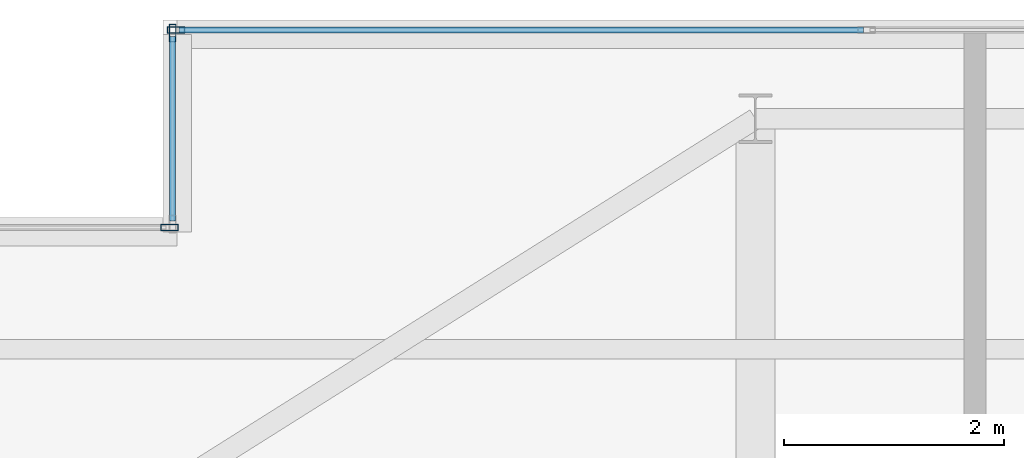
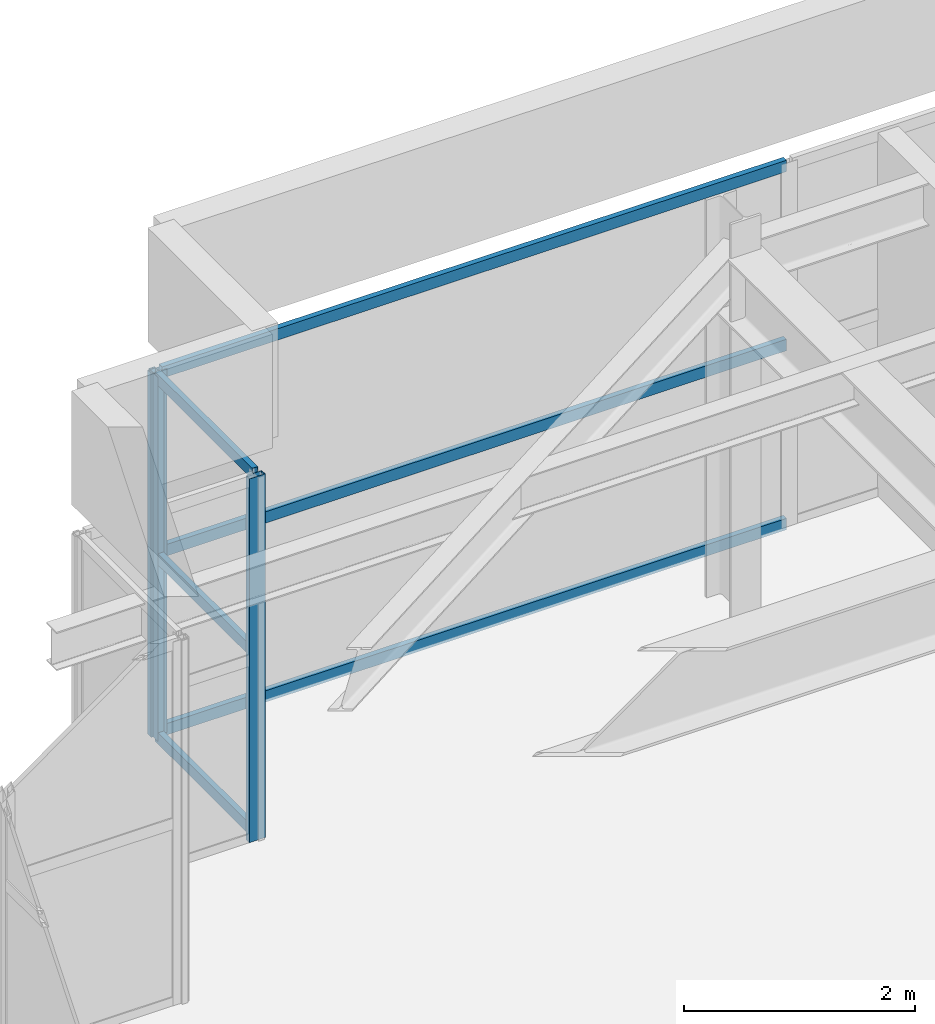
# One storey, part 22 of 33: 9 members, 3 elements without a shape of their own.
"""IFC4 building model written with IfcOpenShell, lengths in metres."""

from ifc_helpers import new_model, si_unit, direction, frame, origin, origin_2d, place, context, subcontext, project, spatial, hollow_rectangle, extrude, source, transform, mapped, material, layer, layer_set, material_profile, profile_set, type_object, element, aggregate, save


model = new_model("IFC4")

# Units and contexts
model_context = context("Model", 3, precision=1e-05, world=origin(), true_north=direction((0.0, 1.0)))
body_context = subcontext(model_context, "Body", "Model", "MODEL_VIEW")
ifc_project = project(units=[si_unit("LENGTHUNIT", "METRE"), si_unit("AREAUNIT", "SQUARE_METRE"), si_unit("VOLUMEUNIT", "CUBIC_METRE"), si_unit("PLANEANGLEUNIT", "RADIAN"), si_unit("MASSUNIT", "GRAM", prefix="KILO")], contexts=[model_context])

# Site, building, storey
site_placement = place(None, origin())
site = spatial("IfcSite", under=ifc_project, at=site_placement, CompositionType="ELEMENT")
building_placement = place(site_placement, origin())
building = spatial("IfcBuilding", under=site, at=building_placement, Name="Khoralis Quay Care Tower", CompositionType="ELEMENT")
storey_placement = place(building_placement, frame((0.0, 0.0, 314.699951171875)))
storey = spatial("IfcBuildingStorey", under=building, at=storey_placement, Name="L82", CompositionType="ELEMENT", Elevation=314.699951171875)

# Curtain wall, members
ifc_material = material(Name="Pale anodised aluminium", Category="aluminium")
ifc_layer = layer(ifc_material, 0.199951171875)
ifc_layer_set = layer_set([ifc_layer], Name="Pale anodised aluminium")
curtain_wall_type = type_object("IfcCurtainWallType", Name="CW-SYS-LANTERN", PredefinedType="NOTDEFINED", material=ifc_layer_set)
curtain_wall_1_placement = place(storey_placement, origin())
curtain_wall_1 = element("IfcCurtainWall", 1, at=curtain_wall_1_placement, inside=storey, type_object=curtain_wall_type, Name="L82 Unitised Curtain Wall CW-LN-L82-11", PredefinedType="NOTDEFINED")
ifc_material_profile_1 = material_profile(ifc_material, hollow_rectangle(XDim=0.054931640625, YDim=0.1201171875, WallThickness=0.00390625, at=origin_2d()), Name="Pale anodised aluminium")
ifc_profile_set_1 = profile_set([ifc_material_profile_1], Name="Pale anodised aluminium")
member_type_1 = type_object("IfcMemberType", Name="CW-TRN-120", PredefinedType="USERDEFINED", material=ifc_profile_set_1)
shared_shape_1 = source(origin(), body_context, "Body", "SweptSolid", [
    extrude(hollow_rectangle(XDim=0.054931640625, YDim=0.1201171875, WallThickness=0.00390625, at=origin_2d()), origin(), (0.0, 0.0, 1.0), 6.23388671875),
])
member_1_placement = place(storey_placement, frame((12.98388671875, 41.909912109375, 0.030029296875), z_axis=(-1.0, 0.0, 0.0), x_axis=(0.0, -1.0, 0.0)))
member_1 = element("IfcMember", 2, at=member_1_placement, type_object=member_type_1, Name="CW5 transom 5.1", ObjectType="TRANSOM", PredefinedType="USERDEFINED", context=body_context, shape_type="MappedRepresentation", body=[
    mapped(shared_shape_1, transform((0.0, 0.0, 0.0), scale=1.0)),
])
member_2_placement = place(storey_placement, frame((12.98388671875, 41.909912109375, 1.920166015625), z_axis=(-1.0, 0.0, 0.0), x_axis=(0.0, -1.0, 0.0)))
member_2 = element("IfcMember", 3, at=member_2_placement, type_object=member_type_1, Name="CW5 transom 5.2", ObjectType="TRANSOM", PredefinedType="USERDEFINED", context=body_context, shape_type="MappedRepresentation", body=[
    mapped(shared_shape_1, transform((0.0, 0.0, 0.0), scale=1.0)),
])
member_3_placement = place(storey_placement, frame((12.98388671875, 41.909912109375, 3.81005859375), z_axis=(-1.0, 0.0, 0.0), x_axis=(0.0, -1.0, 0.0)))
member_3 = element("IfcMember", 4, at=member_3_placement, type_object=member_type_1, Name="CW5 transom 5.3", ObjectType="TRANSOM", PredefinedType="USERDEFINED", context=body_context, shape_type="MappedRepresentation", body=[
    mapped(shared_shape_1, transform((0.0, 0.0, 0.0), scale=1.0)),
])

curtain_wall_2_placement = place(storey_placement, origin())
curtain_wall_2 = element("IfcCurtainWall", 5, at=curtain_wall_2_placement, inside=storey, type_object=curtain_wall_type, Name="L82 Unitised Curtain Wall CW-LN-L82-12", PredefinedType="NOTDEFINED")
shared_shape_2 = source(origin(), body_context, "Body", "SweptSolid", [
    extrude(hollow_rectangle(XDim=0.054931640625, YDim=0.1201171875, WallThickness=0.00390625, at=origin_2d()), origin(), (0.0, 0.0, 1.0), 1.68017578125),
])
member_4_placement = place(storey_placement, frame((6.68994140625, 41.85009765625, 0.030029296875), z_axis=(0.0, -1.0, 0.0), x_axis=(1.0, 0.0, 0.0)))
member_4 = element("IfcMember", 6, at=member_4_placement, type_object=member_type_1, Name="CW5 transom 1.1", ObjectType="TRANSOM", PredefinedType="USERDEFINED", context=body_context, shape_type="MappedRepresentation", body=[
    mapped(shared_shape_2, transform((0.0, 0.0, 0.0), scale=1.0)),
])
member_5_placement = place(storey_placement, frame((6.68994140625, 41.85009765625, 1.920166015625), z_axis=(0.0, -1.0, 0.0), x_axis=(1.0, 0.0, 0.0)))
member_5 = element("IfcMember", 7, at=member_5_placement, type_object=member_type_1, Name="CW5 transom 1.2", ObjectType="TRANSOM", PredefinedType="USERDEFINED", context=body_context, shape_type="MappedRepresentation", body=[
    mapped(shared_shape_2, transform((0.0, 0.0, 0.0), scale=1.0)),
])
member_6_placement = place(storey_placement, frame((6.68994140625, 41.85009765625, 3.81005859375), z_axis=(0.0, -1.0, 0.0), x_axis=(1.0, 0.0, 0.0)))
member_6 = element("IfcMember", 8, at=member_6_placement, type_object=member_type_1, Name="CW5 transom 1.3", ObjectType="TRANSOM", PredefinedType="USERDEFINED", context=body_context, shape_type="MappedRepresentation", body=[
    mapped(shared_shape_2, transform((0.0, 0.0, 0.0), scale=1.0)),
])

# Member
ifc_material_profile_2 = material_profile(ifc_material, hollow_rectangle(XDim=0.06005859375, YDim=0.159912109375, WallThickness=0.00390625, at=origin_2d()), Name="Pale anodised aluminium")
ifc_profile_set_2 = profile_set([ifc_material_profile_2], Name="Pale anodised aluminium")
member_type_2 = type_object("IfcMemberType", Name="CW-MUL-160", PredefinedType="MULLION", material=ifc_profile_set_2)
shared_shape_3 = source(origin(), body_context, "Body", "SweptSolid", [
    extrude(hollow_rectangle(XDim=0.06005859375, YDim=0.159912109375, WallThickness=0.00390625, at=origin_2d()), origin(), (0.0, 0.0, 1.0), 3.840087890625),
])
member_7_placement = place(storey_placement, frame((6.719970703125, 41.909912109375, 0.0), z_axis=(0.0, 0.0, 1.0), x_axis=(0.0, -1.0, 0.0)))
member_7 = element("IfcMember", 9, at=member_7_placement, type_object=member_type_2, Name="CW5 mullion 6", PredefinedType="MULLION", context=body_context, shape_type="MappedRepresentation", body=[
    mapped(shared_shape_3, transform((0.0, 0.0, 0.0), scale=1.0)),
])

aggregate(curtain_wall_1, [member_7, member_1, member_2, member_3])

member_8_placement = place(storey_placement, frame((6.68994140625, 41.8798828125, 0.0), z_axis=(0.0, 0.0, 1.0), x_axis=(1.0, 0.0, 0.0)))
member_8 = element("IfcMember", 10, at=member_8_placement, type_object=member_type_2, Name="CW5 mullion 1", PredefinedType="MULLION", context=body_context, shape_type="MappedRepresentation", body=[
    mapped(shared_shape_3, transform((0.0, 0.0, 0.0), scale=1.0)),
])

aggregate(curtain_wall_2, [member_8, member_4, member_5, member_6])

# Curtain wall, member
curtain_wall_3_placement = place(storey_placement, origin())
curtain_wall_3 = element("IfcCurtainWall", 11, at=curtain_wall_3_placement, inside=storey, type_object=curtain_wall_type, Name="L82 Unitised Curtain Wall CW-LN-L82-13", PredefinedType="NOTDEFINED")
member_9_placement = place(storey_placement, frame((6.659912109375, 40.110107421875, 0.0), z_axis=(0.0, 0.0, 1.0), x_axis=(0.0, -1.0, 0.0)))
member_9 = element("IfcMember", 12, at=member_9_placement, type_object=member_type_2, Name="CW5 mullion 1", PredefinedType="MULLION", context=body_context, shape_type="MappedRepresentation", body=[
    mapped(shared_shape_3, transform((0.0, 0.0, 0.0), scale=1.0)),
])
aggregate(curtain_wall_3, [member_9])

save(model, "model.ifc")
